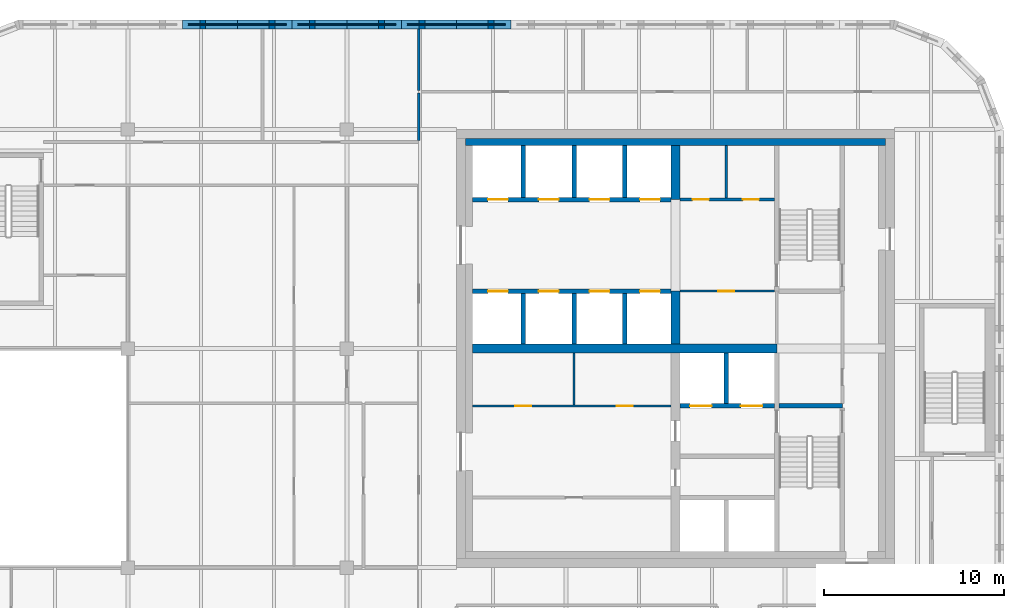
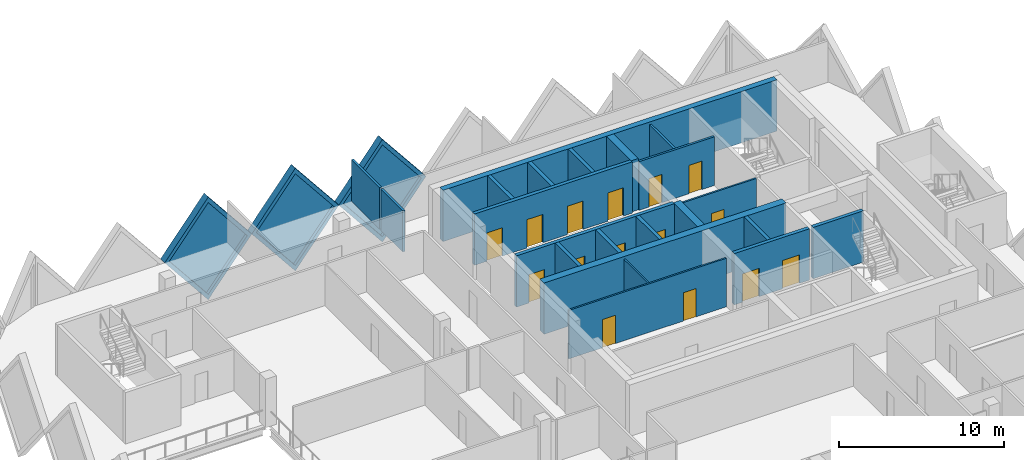
# One storey, part 8 of 11: 25 walls, 15 doors, 3 plates, 18 openings.
"""IFC4 building model written with IfcOpenShell, lengths in metres."""

from ifc_helpers import new_model, si_unit, direction, frame, frame_2d, origin, place, context, subcontext, project, spatial, polyline, rectangle, outline, extrude, faceted_brep, source, transform, mapped, material, layer, layer_set, type_object, element, fill, save


model = new_model("IFC4")

# Units and contexts
model_context = context("Model", 3, precision=1e-05, world=origin(), true_north=direction((0.0, 1.0)))
body_context = subcontext(model_context, "Body", "Model", "MODEL_VIEW")
ifc_project = project(units=[si_unit("LENGTHUNIT", "METRE"), si_unit("AREAUNIT", "SQUARE_METRE"), si_unit("VOLUMEUNIT", "CUBIC_METRE"), si_unit("PLANEANGLEUNIT", "RADIAN"), si_unit("MASSUNIT", "GRAM", prefix="KILO")], contexts=[model_context])

# Site, building, storey
site_placement = place(None, origin())
site = spatial("IfcSite", under=ifc_project, at=site_placement, CompositionType="ELEMENT")
building_placement = place(site_placement, origin())
building = spatial("IfcBuilding", under=site, at=building_placement, Name="Tessera Gate Towers", CompositionType="ELEMENT")
storey_placement = place(building_placement, frame((0.0, 0.0, 205.5)))
storey = spatial("IfcBuildingStorey", under=building, at=storey_placement, Name="L51", CompositionType="ELEMENT", Elevation=205.5)

# Wall, openings, doors
ifc_material_1 = material(Name="Concrete C40/50", Category="concrete")
ifc_layer_1 = layer(ifc_material_1, 0.25)
ifc_layer_set_1 = layer_set([ifc_layer_1], Name="CORE ENCLOSURE WALL 250")
wall_type_1 = type_object("IfcWallType", Name="CORE ENCLOSURE WALL 250", PredefinedType="SOLIDWALL", material=ifc_layer_set_1)
wall_1_placement = place(storey_placement, frame((31.39990234375, 39.800048828125, 0.0), z_axis=(0.0, 0.0, 1.0), x_axis=(1.0, 0.0, 0.0)))
wall_1 = element("IfcWall", 1, at=wall_1_placement, inside=storey, type_object=wall_type_1, Name="L51 shaft and stair enclosure wall", PredefinedType="SOLIDWALL", context=body_context, shape_type="SweptSolid", body=[
    extrude(rectangle(XDim=11.050048828125, YDim=0.25, at=frame_2d((5.52490234375, 0.0))), origin(), (0.0, 0.0, 1.0), 3.800048828125),
])
shared_shape_1 = source(origin(), body_context, "Body", "SweptSolid", [
    extrude(rectangle(XDim=1.10009765625, YDim=2.10009765625, at=frame_2d((0.550048828125, 1.050048828125))), frame((0.0, 0.135009765625, 0.0), z_axis=(0.0, -1.0, 0.0), x_axis=(1.0, 0.0, 0.0)), (0.0, 0.0, 1.0), 0.27001953125),
])
opening_1_placement = place(wall_1_placement, frame((0.862548828125, 0.0, 0.0)))
opening_1 = element("IfcOpeningElement", 2, at=opening_1_placement, cuts=wall_1, Name="Opening LD-HR1", PredefinedType="OPENING", context=body_context, shape_type="MappedRepresentation", body=[
    mapped(shared_shape_1, transform((0.0, 0.0, 0.0), scale=1.0)),
])
opening_2_placement = place(wall_1_placement, frame((3.6875, 0.0, 0.0)))
opening_2 = element("IfcOpeningElement", 3, at=opening_2_placement, cuts=wall_1, Name="Opening LD-HR2", PredefinedType="OPENING", context=body_context, shape_type="MappedRepresentation", body=[
    mapped(shared_shape_1, transform((0.0, 0.0, 0.0), scale=1.0)),
])
opening_3_placement = place(wall_1_placement, frame((6.512451171875, 0.0, 0.0)))
opening_3 = element("IfcOpeningElement", 4, at=opening_3_placement, cuts=wall_1, Name="Opening LD-HR3", PredefinedType="OPENING", context=body_context, shape_type="MappedRepresentation", body=[
    mapped(shared_shape_1, transform((0.0, 0.0, 0.0), scale=1.0)),
])
opening_4_placement = place(wall_1_placement, frame((9.33740234375, 0.0, 0.0)))
opening_4 = element("IfcOpeningElement", 5, at=opening_4_placement, cuts=wall_1, Name="Opening LD-HR4", PredefinedType="OPENING", context=body_context, shape_type="MappedRepresentation", body=[
    mapped(shared_shape_1, transform((0.0, 0.0, 0.0), scale=1.0)),
])
ifc_material_2 = material(Name="Stainless steel", Category="steel")
door_type_1 = type_object("IfcDoorType", Name="CORE DOOR LD 1100x2100", OperationType="DOUBLE_DOOR_SLIDING", PredefinedType="DOOR", material=ifc_material_2)
shared_shape_2 = source(origin(), body_context, "Body", "SweptSolid", [
    extrude(rectangle(XDim=1.10009765625, YDim=2.10009765625, at=frame_2d((0.550048828125, 1.050048828125))), frame((0.0, 0.02490234375, 0.0), z_axis=(0.0, -1.0, 0.0), x_axis=(1.0, 0.0, 0.0)), (0.0, 0.0, 1.0), 0.050048828125),
])
door_1_placement = place(opening_1_placement, origin())
door_1 = element("IfcDoor", 6, at=door_1_placement, inside=storey, type_object=door_type_1, Name="Landing door HR1 L51", OperationType="DOUBLE_DOOR_SLIDING", OverallHeight=2.10009765625, OverallWidth=1.10009765625, PredefinedType="DOOR", context=body_context, shape_type="MappedRepresentation", body=[
    mapped(shared_shape_2, transform((0.0, 0.0, 0.0), scale=1.0)),
])
fill(opening_1, door_1)
door_2_placement = place(opening_2_placement, origin())
door_2 = element("IfcDoor", 7, at=door_2_placement, inside=storey, type_object=door_type_1, Name="Landing door HR2 L51", OperationType="DOUBLE_DOOR_SLIDING", OverallHeight=2.10009765625, OverallWidth=1.10009765625, PredefinedType="DOOR", context=body_context, shape_type="MappedRepresentation", body=[
    mapped(shared_shape_2, transform((0.0, 0.0, 0.0), scale=1.0)),
])
fill(opening_2, door_2)
door_3_placement = place(opening_3_placement, origin())
door_3 = element("IfcDoor", 8, at=door_3_placement, inside=storey, type_object=door_type_1, Name="Landing door HR3 L51", OperationType="DOUBLE_DOOR_SLIDING", OverallHeight=2.10009765625, OverallWidth=1.10009765625, PredefinedType="DOOR", context=body_context, shape_type="MappedRepresentation", body=[
    mapped(shared_shape_2, transform((0.0, 0.0, 0.0), scale=1.0)),
])
fill(opening_3, door_3)
door_4_placement = place(opening_4_placement, origin())
door_4 = element("IfcDoor", 9, at=door_4_placement, inside=storey, type_object=door_type_1, Name="Landing door HR4 L51", OperationType="DOUBLE_DOOR_SLIDING", OverallHeight=2.10009765625, OverallWidth=1.10009765625, PredefinedType="DOOR", context=body_context, shape_type="MappedRepresentation", body=[
    mapped(shared_shape_2, transform((0.0, 0.0, 0.0), scale=1.0)),
])
fill(opening_4, door_4)

wall_2_placement = place(storey_placement, frame((42.449951171875, 44.89990234375, 0.0), z_axis=(0.0, 0.0, 1.0), x_axis=(-1.0, 0.0, 0.0)))
wall_2 = element("IfcWall", 10, at=wall_2_placement, inside=storey, type_object=wall_type_1, Name="L51 shaft and stair enclosure wall", PredefinedType="SOLIDWALL", context=body_context, shape_type="SweptSolid", body=[
    extrude(rectangle(XDim=11.050048828125, YDim=0.25, at=frame_2d((5.52490234375, 0.0))), origin(), (0.0, 0.0, 1.0), 3.800048828125),
])
opening_5_placement = place(wall_2_placement, frame((9.08740234375, 0.0, 0.0)))
opening_5 = element("IfcOpeningElement", 11, at=opening_5_placement, cuts=wall_2, Name="Opening LD-HR5", PredefinedType="OPENING", context=body_context, shape_type="MappedRepresentation", body=[
    mapped(shared_shape_1, transform((0.0, 0.0, 0.0), scale=1.0)),
])
opening_6_placement = place(wall_2_placement, frame((6.262451171875, 0.0, 0.0)))
opening_6 = element("IfcOpeningElement", 12, at=opening_6_placement, cuts=wall_2, Name="Opening LD-HR6", PredefinedType="OPENING", context=body_context, shape_type="MappedRepresentation", body=[
    mapped(shared_shape_1, transform((0.0, 0.0, 0.0), scale=1.0)),
])
opening_7_placement = place(wall_2_placement, frame((3.4375, 0.0, 0.0)))
opening_7 = element("IfcOpeningElement", 13, at=opening_7_placement, cuts=wall_2, Name="Opening LD-HR7", PredefinedType="OPENING", context=body_context, shape_type="MappedRepresentation", body=[
    mapped(shared_shape_1, transform((0.0, 0.0, 0.0), scale=1.0)),
])
opening_8_placement = place(wall_2_placement, frame((0.612548828125, 0.0, 0.0)))
opening_8 = element("IfcOpeningElement", 14, at=opening_8_placement, cuts=wall_2, Name="Opening LD-HR8", PredefinedType="OPENING", context=body_context, shape_type="MappedRepresentation", body=[
    mapped(shared_shape_1, transform((0.0, 0.0, 0.0), scale=1.0)),
])
door_5_placement = place(opening_5_placement, origin())
door_5 = element("IfcDoor", 15, at=door_5_placement, inside=storey, type_object=door_type_1, Name="Landing door HR5 L51", OperationType="DOUBLE_DOOR_SLIDING", OverallHeight=2.10009765625, OverallWidth=1.10009765625, PredefinedType="DOOR", context=body_context, shape_type="MappedRepresentation", body=[
    mapped(shared_shape_2, transform((0.0, 0.0, 0.0), scale=1.0)),
])
fill(opening_5, door_5)
door_6_placement = place(opening_6_placement, origin())
door_6 = element("IfcDoor", 16, at=door_6_placement, inside=storey, type_object=door_type_1, Name="Landing door HR6 L51", OperationType="DOUBLE_DOOR_SLIDING", OverallHeight=2.10009765625, OverallWidth=1.10009765625, PredefinedType="DOOR", context=body_context, shape_type="MappedRepresentation", body=[
    mapped(shared_shape_2, transform((0.0, 0.0, 0.0), scale=1.0)),
])
fill(opening_6, door_6)
door_7_placement = place(opening_7_placement, origin())
door_7 = element("IfcDoor", 17, at=door_7_placement, inside=storey, type_object=door_type_1, Name="Landing door HR7 L51", OperationType="DOUBLE_DOOR_SLIDING", OverallHeight=2.10009765625, OverallWidth=1.10009765625, PredefinedType="DOOR", context=body_context, shape_type="MappedRepresentation", body=[
    mapped(shared_shape_2, transform((0.0, 0.0, 0.0), scale=1.0)),
])
fill(opening_7, door_7)
door_8_placement = place(opening_8_placement, origin())
door_8 = element("IfcDoor", 18, at=door_8_placement, inside=storey, type_object=door_type_1, Name="Landing door HR8 L51", OperationType="DOUBLE_DOOR_SLIDING", OverallHeight=2.10009765625, OverallWidth=1.10009765625, PredefinedType="DOOR", context=body_context, shape_type="MappedRepresentation", body=[
    mapped(shared_shape_2, transform((0.0, 0.0, 0.0), scale=1.0)),
])
fill(opening_8, door_8)

wall_3_placement = place(storey_placement, frame((48.22509765625, 33.39990234375, 0.0), z_axis=(0.0, 0.0, 1.0), x_axis=(-1.0, 0.0, 0.0)))
wall_3 = element("IfcWall", 19, at=wall_3_placement, inside=storey, type_object=wall_type_1, Name="L51 shaft and stair enclosure wall", PredefinedType="SOLIDWALL", context=body_context, shape_type="SweptSolid", body=[
    extrude(rectangle(XDim=5.275146484375, YDim=0.25, at=frame_2d((2.6376953125, 0.0))), origin(), (0.0, 0.0, 1.0), 3.800048828125),
])
shared_shape_3 = source(origin(), body_context, "Body", "SweptSolid", [
    extrude(rectangle(XDim=1.199951171875, YDim=2.10009765625, at=frame_2d((0.60009765625, 1.050048828125))), frame((0.0, 0.135009765625, 0.0), z_axis=(0.0, -1.0, 0.0), x_axis=(1.0, 0.0, 0.0)), (0.0, 0.0, 1.0), 0.27001953125),
])
opening_9_placement = place(wall_3_placement, frame((3.512451171875, 0.0, 0.0)))
opening_9 = element("IfcOpeningElement", 20, at=opening_9_placement, cuts=wall_3, Name="Opening LD-FF1", PredefinedType="OPENING", context=body_context, shape_type="MappedRepresentation", body=[
    mapped(shared_shape_3, transform((0.0, 0.0, 0.0), scale=1.0)),
])
opening_10_placement = place(wall_3_placement, frame((0.6875, 0.0, 0.0)))
opening_10 = element("IfcOpeningElement", 21, at=opening_10_placement, cuts=wall_3, Name="Opening LD-FF2", PredefinedType="OPENING", context=body_context, shape_type="MappedRepresentation", body=[
    mapped(shared_shape_3, transform((0.0, 0.0, 0.0), scale=1.0)),
])
ifc_material_3 = material(Name="Stainless steel", Category="steel")
door_type_2 = type_object("IfcDoorType", Name="CORE DOOR LD1200 1200x2100", OperationType="DOUBLE_DOOR_SLIDING", PredefinedType="DOOR", material=ifc_material_3)
shared_shape_4 = source(origin(), body_context, "Body", "SweptSolid", [
    extrude(rectangle(XDim=1.199951171875, YDim=2.10009765625, at=frame_2d((0.60009765625, 1.050048828125))), frame((0.0, 0.02490234375, 0.0), z_axis=(0.0, -1.0, 0.0), x_axis=(1.0, 0.0, 0.0)), (0.0, 0.0, 1.0), 0.050048828125),
])
door_9_placement = place(opening_9_placement, origin())
door_9 = element("IfcDoor", 22, at=door_9_placement, inside=storey, type_object=door_type_2, Name="Landing door FF1 L51", OperationType="DOUBLE_DOOR_SLIDING", OverallHeight=2.10009765625, OverallWidth=1.199951171875, PredefinedType="DOOR", context=body_context, shape_type="MappedRepresentation", body=[
    mapped(shared_shape_4, transform((0.0, 0.0, 0.0), scale=1.0)),
])
fill(opening_9, door_9)
door_10_placement = place(opening_10_placement, origin())
door_10 = element("IfcDoor", 23, at=door_10_placement, inside=storey, type_object=door_type_2, Name="Landing door FF2 L51", OperationType="DOUBLE_DOOR_SLIDING", OverallHeight=2.10009765625, OverallWidth=1.199951171875, PredefinedType="DOOR", context=body_context, shape_type="MappedRepresentation", body=[
    mapped(shared_shape_4, transform((0.0, 0.0, 0.0), scale=1.0)),
])
fill(opening_10, door_10)

# Walls
wall_4_placement = place(storey_placement, frame((48.47509765625, 33.39990234375, 0.0), z_axis=(0.0, 0.0, 1.0), x_axis=(1.0, 0.0, 0.0)))
element("IfcWall", 24, at=wall_4_placement, inside=storey, type_object=wall_type_1, Name="L51 shaft and stair enclosure wall", PredefinedType="SOLIDWALL", context=body_context, shape_type="SweptSolid", body=[
    extrude(rectangle(XDim=3.52490234375, YDim=0.25, at=frame_2d((1.762451171875, 0.0))), origin(), (0.0, 0.0, 1.0), 3.800048828125),
])
for number, where, z_axis, x_axis, name in (
    (25, (34.22509765625, 36.85009765625, 0.0), (0.0, 0.0, 1.0), (0.0, 1.0, 0.0), "L51 shaft and stair enclosure wall"),
    (26, (37.050048828125, 36.85009765625, 0.0), (0.0, 0.0, 1.0), (0.0, 1.0, 0.0), "L51 shaft and stair enclosure wall"),
    (27, (39.875, 36.85009765625, 0.0), (0.0, 0.0, 1.0), (0.0, 1.0, 0.0), "L51 shaft and stair enclosure wall"),
):
    element("IfcWall", number, at=place(storey_placement, frame(where, z_axis=z_axis, x_axis=x_axis)), inside=storey, type_object=wall_type_1, Name=name, PredefinedType="SOLIDWALL", context=body_context, shape_type="SweptSolid", body=[
        extrude(rectangle(XDim=2.824951171875, YDim=0.25, at=frame_2d((1.41259765625, 0.0))), origin(), (0.0, 0.0, 1.0), 3.800048828125),
    ])
wall_5_placement = place(storey_placement, frame((45.52490234375, 33.52490234375, 0.0), z_axis=(0.0, 0.0, 1.0), x_axis=(0.0, 1.0, 0.0)))
element("IfcWall", 28, at=wall_5_placement, inside=storey, type_object=wall_type_1, Name="L51 shaft and stair enclosure wall", PredefinedType="SOLIDWALL", context=body_context, shape_type="SweptSolid", body=[
    extrude(rectangle(XDim=2.8251953125, YDim=0.25, at=frame_2d((1.41259765625, 0.0))), origin(), (0.0, 0.0, 1.0), 3.800048828125),
])
for number, where, z_axis, x_axis, name in (
    (29, (34.22509765625, 45.02490234375, 0.0), (0.0, 0.0, 1.0), (0.0, 1.0, 0.0), "L51 shaft and stair enclosure wall"),
    (30, (37.050048828125, 45.02490234375, 0.0), (0.0, 0.0, 1.0), (0.0, 1.0, 0.0), "L51 shaft and stair enclosure wall"),
    (31, (39.875, 45.02490234375, 0.0), (0.0, 0.0, 1.0), (0.0, 1.0, 0.0), "L51 shaft and stair enclosure wall"),
):
    element("IfcWall", number, at=place(storey_placement, frame(where, z_axis=z_axis, x_axis=x_axis)), inside=storey, type_object=wall_type_1, Name=name, PredefinedType="SOLIDWALL", context=body_context, shape_type="SweptSolid", body=[
        extrude(rectangle(XDim=2.875, YDim=0.25, at=frame_2d((1.4375, 0.0))), origin(), (0.0, 0.0, 1.0), 3.800048828125),
    ])

# Wall, openings, doors
ifc_material_4 = material(Name="Gypsum board on steel studs", Category="steel")
ifc_layer_2 = layer(ifc_material_4, 0.1201171875)
ifc_layer_set_2 = layer_set([ifc_layer_2], Name="CORE PARTITION 120")
wall_type_2 = type_object("IfcWallType", Name="CORE PARTITION 120", PredefinedType="PARTITIONING", material=ifc_layer_set_2)
wall_6_placement = place(storey_placement, frame((31.39990234375, 33.39990234375, 0.0), z_axis=(0.0, 0.0, 1.0), x_axis=(1.0, 0.0, 0.0)))
wall_6 = element("IfcWall", 32, at=wall_6_placement, inside=storey, type_object=wall_type_2, Name="L51 core partition", PredefinedType="PARTITIONING", context=body_context, shape_type="SweptSolid", body=[
    extrude(rectangle(XDim=11.050048828125, YDim=0.1201171875, at=frame_2d((5.52490234375, 0.0))), origin(), (0.0, 0.0, 1.0), 3.60009765625),
])
shared_shape_5 = source(origin(), body_context, "Body", "SweptSolid", [
    extrude(rectangle(XDim=0.89990234375, YDim=2.10009765625, at=frame_2d((0.449951171875, 1.050048828125))), frame((0.0, 0.070068359375, 0.0), z_axis=(0.0, -1.0, 0.0), x_axis=(1.0, 0.0, 0.0)), (0.0, 0.0, 1.0), 0.14013671875),
])
opening_11_placement = place(wall_6_placement, frame((2.375, 0.0, 0.0)))
opening_11 = element("IfcOpeningElement", 33, at=opening_11_placement, cuts=wall_6, Name="Opening RD-T1-31-08", PredefinedType="OPENING", context=body_context, shape_type="MappedRepresentation", body=[
    mapped(shared_shape_5, transform((0.0, 0.0, 0.0), scale=1.0)),
])
opening_12_placement = place(wall_6_placement, frame((8.02490234375, 0.0, 0.0)))
opening_12 = element("IfcOpeningElement", 34, at=opening_12_placement, cuts=wall_6, Name="Opening RD-T1-31-09", PredefinedType="OPENING", context=body_context, shape_type="MappedRepresentation", body=[
    mapped(shared_shape_5, transform((0.0, 0.0, 0.0), scale=1.0)),
])
ifc_material_5 = material(Name="Hollow steel fire door", Category="steel")
door_type_3 = type_object("IfcDoorType", Name="CORE DOOR RD 900x2100", OperationType="NOTDEFINED", PredefinedType="DOOR", material=ifc_material_5)
shared_shape_6 = source(origin(), body_context, "Body", "SweptSolid", [
    extrude(rectangle(XDim=0.89990234375, YDim=2.10009765625, at=frame_2d((0.449951171875, 1.050048828125))), frame((0.0, 0.02490234375, 0.0), z_axis=(0.0, -1.0, 0.0), x_axis=(1.0, 0.0, 0.0)), (0.0, 0.0, 1.0), 0.050048828125),
])
door_11_placement = place(opening_11_placement, origin())
door_11 = element("IfcDoor", 35, at=door_11_placement, inside=storey, type_object=door_type_3, Name="Core room door", OperationType="SINGLE_SWING_LEFT", OverallHeight=2.10009765625, OverallWidth=0.89990234375, PredefinedType="DOOR", context=body_context, shape_type="MappedRepresentation", body=[
    mapped(shared_shape_6, transform((0.0, 0.0, 0.0), scale=1.0)),
])
fill(opening_11, door_11)
door_12_placement = place(opening_12_placement, origin())
door_12 = element("IfcDoor", 36, at=door_12_placement, inside=storey, type_object=door_type_3, Name="Core room door", OperationType="SINGLE_SWING_RIGHT", OverallHeight=2.10009765625, OverallWidth=0.89990234375, PredefinedType="DOOR", context=body_context, shape_type="MappedRepresentation", body=[
    mapped(shared_shape_6, transform((0.0, 0.0, 0.0), scale=1.0)),
])
fill(opening_12, door_12)

# Wall, opening, door
wall_7_placement = place(storey_placement, frame((48.22509765625, 39.800048828125, 0.0), z_axis=(0.0, 0.0, 1.0), x_axis=(-1.0, 0.0, 0.0)))
wall_7 = element("IfcWall", 37, at=wall_7_placement, inside=storey, type_object=wall_type_2, Name="L51 core partition", PredefinedType="PARTITIONING", context=body_context, shape_type="SweptSolid", body=[
    extrude(rectangle(XDim=5.275146484375, YDim=0.1201171875, at=frame_2d((2.6376953125, 0.0))), origin(), (0.0, 0.0, 1.0), 3.60009765625),
])
opening_13_placement = place(wall_7_placement, frame((2.25, 0.0, 0.0)))
opening_13 = element("IfcOpeningElement", 38, at=opening_13_placement, cuts=wall_7, Name="Opening RD-T1-31-11", PredefinedType="OPENING", context=body_context, shape_type="MappedRepresentation", body=[
    mapped(shared_shape_5, transform((0.0, 0.0, 0.0), scale=1.0)),
])
door_13_placement = place(opening_13_placement, origin())
door_13 = element("IfcDoor", 39, at=door_13_placement, inside=storey, type_object=door_type_3, Name="Core room door", OperationType="SINGLE_SWING_RIGHT", OverallHeight=2.10009765625, OverallWidth=0.89990234375, PredefinedType="DOOR", context=body_context, shape_type="MappedRepresentation", body=[
    mapped(shared_shape_6, transform((0.0, 0.0, 0.0), scale=1.0)),
])
fill(opening_13, door_13)

# Walls
wall_8_placement = place(storey_placement, frame((37.050048828125, 33.4599609375, 0.0), z_axis=(0.0, 0.0, 1.0), x_axis=(0.0, 1.0, 0.0)))
element("IfcWall", 40, at=wall_8_placement, inside=storey, type_object=wall_type_2, Name="L51 core partition", PredefinedType="PARTITIONING", context=body_context, shape_type="SweptSolid", body=[
    extrude(rectangle(XDim=2.89013671875, YDim=0.1201171875, at=frame_2d((1.445068359375, 0.0))), origin(), (0.0, 0.0, 1.0), 3.60009765625),
])
ifc_material_6 = material(Name="Concrete C50/60", Category="concrete")
ifc_layer_3 = layer(ifc_material_6, 0.5)
ifc_layer_set_3 = layer_set([ifc_layer_3], Name="CORE SPINE WALL 500 C50/60")
wall_type_3 = type_object("IfcWallType", Name="CORE SPINE WALL 500 C50/60", PredefinedType="SHEAR", material=ifc_layer_set_3)
wall_9_placement = place(storey_placement, frame((31.39990234375, 36.60009765625, 0.0), z_axis=(0.0, 0.0, 1.0), x_axis=(1.0, 0.0, 0.0)))
element("IfcWall", 41, at=wall_9_placement, inside=storey, type_object=wall_type_3, Name="Core wall spine L51", PredefinedType="SHEAR", context=body_context, shape_type="SweptSolid", body=[
    extrude(rectangle(XDim=16.9501953125, YDim=0.5, at=frame_2d((8.47509765625, 0.0))), origin(), (0.0, 0.0, 1.0), 3.800048828125),
])
wall_10_placement = place(storey_placement, frame((42.699951171875, 36.85009765625, 0.0), z_axis=(0.0, 0.0, 1.0), x_axis=(0.0, 1.0, 0.0)))
element("IfcWall", 42, at=wall_10_placement, inside=storey, type_object=wall_type_3, Name="Core wall spine L51", PredefinedType="SHEAR", context=body_context, shape_type="SweptSolid", body=[
    extrude(rectangle(XDim=2.949951171875, YDim=0.5, at=frame_2d((1.47509765625, 0.0))), origin(), (0.0, 0.0, 1.0), 3.800048828125),
])
wall_11_placement = place(storey_placement, frame((42.699951171875, 44.89990234375, 0.0), z_axis=(0.0, 0.0, 1.0), x_axis=(0.0, 1.0, 0.0)))
element("IfcWall", 43, at=wall_11_placement, inside=storey, type_object=wall_type_3, Name="Core wall spine L51", PredefinedType="SHEAR", context=body_context, shape_type="SweptSolid", body=[
    extrude(rectangle(XDim=3.0, YDim=0.5, at=frame_2d((1.5, 0.0))), origin(), (0.0, 0.0, 1.0), 3.800048828125),
])
ifc_material_7 = material(Name="Concrete C50/60", Category="concrete")
ifc_layer_4 = layer(ifc_material_7, 0.39990234375)
ifc_layer_set_4 = layer_set([ifc_layer_4], Name="CORE WALL THICKENING 400")
wall_type_4 = type_object("IfcWallType", Name="CORE WALL THICKENING 400", PredefinedType="SOLIDWALL", material=ifc_layer_set_4)
wall_12_placement = place(storey_placement, frame((31.0, 48.10009765625, 0.0), z_axis=(0.0, 0.0, 1.0), x_axis=(1.0, 0.0, 0.0)))
element("IfcWall", 44, at=wall_12_placement, inside=storey, type_object=wall_type_4, Name="Core wall thickening N L51", PredefinedType="SOLIDWALL", context=body_context, shape_type="SweptSolid", body=[
    extrude(rectangle(XDim=23.39990234375, YDim=0.39990234375, at=frame_2d((11.699951171875, 0.0))), origin(), (0.0, 0.0, 1.0), 3.800048828125),
])
ifc_material_8 = material(Name="Gypsum board on steel studs, mineral wool", Category="steel")
ifc_layer_5 = layer(ifc_material_8, 0.14990234375)
ifc_layer_set_5 = layer_set([ifc_layer_5], Name="CORRIDOR WALL 150")
wall_type_5 = type_object("IfcWallType", Name="CORRIDOR WALL 150", PredefinedType="PARTITIONING", material=ifc_layer_set_5)
wall_13_placement = place(storey_placement, frame((28.39990234375, 48.176025390625, 0.0), z_axis=(0.0, 0.0, 1.0), x_axis=(0.0, 1.0, 0.0)))
element("IfcWall", 45, at=wall_13_placement, inside=storey, type_object=wall_type_5, Name="T1-L51-PW-046", PredefinedType="PARTITIONING", context=body_context, shape_type="SweptSolid", body=[
    extrude(rectangle(XDim=2.64794921875, YDim=0.14990234375, at=frame_2d((1.323974609375, 0.0))), origin(), (0.0, 0.0, 1.0), 3.06689453125),
])

# Wall, openings, doors
ifc_material_9 = material(Name="Gypsum board on steel studs", Category="steel")
ifc_layer_6 = layer(ifc_material_9, 0.14990234375)
ifc_layer_set_6 = layer_set([ifc_layer_6], Name="SERVICE ROOM WALL 150")
wall_type_6 = type_object("IfcWallType", Name="SERVICE ROOM WALL 150", PredefinedType="PARTITIONING", material=ifc_layer_set_6)
wall_14_placement = place(storey_placement, frame((42.949951171875, 44.89990234375, 0.0), z_axis=(0.0, 0.0, 1.0), x_axis=(1.0, 0.0, 0.0)))
wall_14 = element("IfcWall", 46, at=wall_14_placement, inside=storey, type_object=wall_type_6, Name="L51 service room wall", PredefinedType="PARTITIONING", context=body_context, shape_type="SweptSolid", body=[
    extrude(rectangle(XDim=5.275146484375, YDim=0.14990234375, at=frame_2d((2.6376953125, 0.0))), origin(), (0.0, 0.0, 1.0), 3.60009765625),
])
shared_shape_7 = source(origin(), body_context, "Body", "SweptSolid", [
    extrude(rectangle(XDim=0.89990234375, YDim=2.10009765625, at=frame_2d((0.449951171875, 1.050048828125))), frame((0.0, 0.0849609375, 0.0), z_axis=(0.0, -1.0, 0.0), x_axis=(1.0, 0.0, 0.0)), (0.0, 0.0, 1.0), 0.169921875),
])
opening_14_placement = place(wall_14_placement, frame((0.71240234375, 0.0, 0.0)))
opening_14 = element("IfcOpeningElement", 47, at=opening_14_placement, cuts=wall_14, Name="Opening RD-T1-31-12", PredefinedType="OPENING", context=body_context, shape_type="MappedRepresentation", body=[
    mapped(shared_shape_7, transform((0.0, 0.0, 0.0), scale=1.0)),
])
opening_15_placement = place(wall_14_placement, frame((3.5, 0.0, 0.0)))
opening_15 = element("IfcOpeningElement", 48, at=opening_15_placement, cuts=wall_14, Name="Opening RD-T1-31-13", PredefinedType="OPENING", context=body_context, shape_type="MappedRepresentation", body=[
    mapped(shared_shape_7, transform((0.0, 0.0, 0.0), scale=1.0)),
])
door_14_placement = place(opening_14_placement, origin())
door_14 = element("IfcDoor", 49, at=door_14_placement, inside=storey, type_object=door_type_3, Name="Core room door", OperationType="SINGLE_SWING_LEFT", OverallHeight=2.10009765625, OverallWidth=0.89990234375, PredefinedType="DOOR", context=body_context, shape_type="MappedRepresentation", body=[
    mapped(shared_shape_6, transform((0.0, 0.0, 0.0), scale=1.0)),
])
fill(opening_14, door_14)
door_15_placement = place(opening_15_placement, origin())
door_15 = element("IfcDoor", 50, at=door_15_placement, inside=storey, type_object=door_type_3, Name="Core room door", OperationType="SINGLE_SWING_RIGHT", OverallHeight=2.10009765625, OverallWidth=0.89990234375, PredefinedType="DOOR", context=body_context, shape_type="MappedRepresentation", body=[
    mapped(shared_shape_6, transform((0.0, 0.0, 0.0), scale=1.0)),
])
fill(opening_15, door_15)

# Walls
wall_15_placement = place(storey_placement, frame((45.52490234375, 44.97509765625, 0.0), z_axis=(0.0, 0.0, 1.0), x_axis=(0.0, 1.0, 0.0)))
element("IfcWall", 51, at=wall_15_placement, inside=storey, type_object=wall_type_6, Name="L51 service room wall", PredefinedType="PARTITIONING", context=body_context, shape_type="SweptSolid", body=[
    extrude(rectangle(XDim=2.9248046875, YDim=0.14990234375, at=frame_2d((1.46240234375, 0.0))), origin(), (0.0, 0.0, 1.0), 3.60009765625),
])
ifc_material_10 = material(Name="Gypsum board on steel studs, mineral wool", Category="steel")
ifc_layer_7 = layer(ifc_material_10, 0.14990234375)
ifc_layer_set_7 = layer_set([ifc_layer_7], Name="TENANCY WALL 150")
wall_type_7 = type_object("IfcWallType", Name="TENANCY WALL 150", PredefinedType="PARTITIONING", material=ifc_layer_set_7)
wall_16_placement = place(storey_placement, frame((28.39990234375, 50.97607421875, 0.0), z_axis=(0.0, 0.0, 1.0), x_axis=(0.0, 1.0, 0.0)))
element("IfcWall", 52, at=wall_16_placement, inside=storey, type_object=wall_type_7, Name="T1-L51-PW-048", PredefinedType="PARTITIONING", context=body_context, shape_type="SweptSolid", body=[
    extrude(rectangle(XDim=3.423828125, YDim=0.14990234375, at=frame_2d((1.7119140625, 0.0))), origin(), (0.0, 0.0, 1.0), 3.06689453125),
])

# Wall, opening, plate
ifc_material_11 = material(Name="Precast concrete C60/75 white", Category="concrete")
ifc_layer_8 = layer(ifc_material_11, 0.5)
ifc_layer_set_8 = layer_set([ifc_layer_8], Name="TS1 tessera")
wall_type_8 = type_object("IfcWallType", Name="TS1 tessera", PredefinedType="SOLIDWALL", material=ifc_layer_set_8)
shared_shape_8 = source(origin(), body_context, "Body", "Brep", [
    faceted_brep([(3.050048828125, -0.25, 0.0), (6.099853515625, -0.25, 3.7998046875), (6.099853515625, -0.25, 3.80029296875), (3.050048828125, -0.25, 7.60009765625), (0.0, -0.25, 3.800048828125), (0.0, 0.25, 3.800048828125), (3.050048828125, 0.25, 7.60009765625), (6.099853515625, 0.25, 3.80029296875), (6.099853515625, 0.25, 3.7998046875), (3.050048828125, 0.25, 0.0)], [[[0, 1, 2, 3, 4]], [[5, 6, 7, 8, 9]], [[9, 8, 1, 0]], [[7, 6, 3, 2]], [[6, 5, 4, 3]], [[5, 9, 0, 4]], [[1, 8, 7, 2]]]),
])
wall_17_placement = place(storey_placement, frame((27.449951171875, 54.64990234375, -3.800048828125), z_axis=(0.0, 0.0, 1.0), x_axis=(-1.0, 0.0, 0.0)))
wall_17 = element("IfcWall", 53, at=wall_17_placement, inside=storey, type_object=wall_type_8, Name="Precast tessera T1 TS1-0888", PredefinedType="SOLIDWALL", context=body_context, shape_type="MappedRepresentation", body=[
    mapped(shared_shape_8, transform((0.0, 0.0, 0.0), scale=1.0)),
])
shared_shape_9 = source(origin(), body_context, "Body", "SweptSolid", [
    extrude(outline(polyline([(3.050048828125, 0.3994140625), (5.779541015625, 3.800048828125), (3.050048828125, 7.20068359375), (0.320556640625, 3.800048828125), (3.050048828125, 0.3994140625)])), frame((0.0, 0.260009765625, 0.0), z_axis=(0.0, -1.0, 0.0), x_axis=(1.0, 0.0, 0.0)), (0.0, 0.0, 1.0), 0.52001953125),
])
opening_16_placement = place(wall_17_placement, origin())
opening_16 = element("IfcOpeningElement", 54, at=opening_16_placement, cuts=wall_17, Name="Opening T1-PL2-1810", PredefinedType="OPENING", context=body_context, shape_type="MappedRepresentation", body=[
    mapped(shared_shape_9, transform((0.0, 0.0, 0.0), scale=1.0)),
])
ifc_material_12 = material(Name="Low-e laminated glass", Category="glass")
ifc_layer_9 = layer(ifc_material_12, 0.06005859375)
ifc_layer_set_9 = layer_set([ifc_layer_9], Name="PL2 rhombic pane")
plate_type = type_object("IfcPlateType", Name="PL2 rhombic pane", PredefinedType="SHEET", material=ifc_layer_set_9)
shared_shape_10 = source(origin(), body_context, "Body", "SweptSolid", [
    extrude(outline(polyline([(3.050048828125, 0.3994140625), (5.779541015625, 3.800048828125), (3.050048828125, 7.20068359375), (0.320556640625, 3.800048828125), (3.050048828125, 0.3994140625)])), frame((0.0, 0.030029296875, 0.0), z_axis=(0.0, -1.0, 0.0), x_axis=(1.0, 0.0, 0.0)), (0.0, 0.0, 1.0), 0.06005859375),
])
plate_1_placement = place(opening_16_placement, origin())
plate_1 = element("IfcPlate", 55, at=plate_1_placement, inside=storey, type_object=plate_type, Name="Glass pane T1 PL2-1810", PredefinedType="SHEET", context=body_context, shape_type="MappedRepresentation", body=[
    mapped(shared_shape_10, transform((0.0, 0.0, 0.0), scale=1.0)),
])
fill(opening_16, plate_1)

shared_shape_11 = source(origin(), body_context, "Body", "SweptSolid", [
    extrude(outline(polyline([(3.050048828125, 0.0), (6.10009765625, 3.800048828125), (3.050048828125, 7.60009765625), (0.0, 3.800048828125), (3.050048828125, 0.0)])), frame((0.0, 0.25, 0.0), z_axis=(0.0, -1.0, 0.0), x_axis=(1.0, 0.0, 0.0)), (0.0, 0.0, 1.0), 0.5),
])
wall_18_placement = place(storey_placement, frame((33.550048828125, 54.64990234375, -3.800048828125), z_axis=(0.0, 0.0, 1.0), x_axis=(-1.0, 0.0, 0.0)))
wall_18 = element("IfcWall", 56, at=wall_18_placement, inside=storey, type_object=wall_type_8, Name="Precast tessera T1 TS1-0887", PredefinedType="SOLIDWALL", context=body_context, shape_type="MappedRepresentation", body=[
    mapped(shared_shape_11, transform((0.0, 0.0, 0.0), scale=1.0)),
])
opening_17_placement = place(wall_18_placement, origin())
opening_17 = element("IfcOpeningElement", 57, at=opening_17_placement, cuts=wall_18, Name="Opening T1-PL2-1809", PredefinedType="OPENING", context=body_context, shape_type="MappedRepresentation", body=[
    mapped(shared_shape_9, transform((0.0, 0.0, 0.0), scale=1.0)),
])
plate_2_placement = place(opening_17_placement, origin())
plate_2 = element("IfcPlate", 58, at=plate_2_placement, inside=storey, type_object=plate_type, Name="Glass pane T1 PL2-1809", PredefinedType="SHEET", context=body_context, shape_type="MappedRepresentation", body=[
    mapped(shared_shape_10, transform((0.0, 0.0, 0.0), scale=1.0)),
])
fill(opening_17, plate_2)

wall_19_placement = place(storey_placement, frame((21.35009765625, 54.64990234375, -3.800048828125), z_axis=(0.0, 0.0, 1.0), x_axis=(-1.0, 0.0, 0.0)))
wall_19 = element("IfcWall", 59, at=wall_19_placement, inside=storey, type_object=wall_type_8, Name="Precast tessera T1 TS1-0889", PredefinedType="SOLIDWALL", context=body_context, shape_type="MappedRepresentation", body=[
    mapped(shared_shape_11, transform((0.0, 0.0, 0.0), scale=1.0)),
])
opening_18_placement = place(wall_19_placement, origin())
opening_18 = element("IfcOpeningElement", 60, at=opening_18_placement, cuts=wall_19, Name="Opening T1-PL2-1811", PredefinedType="OPENING", context=body_context, shape_type="MappedRepresentation", body=[
    mapped(shared_shape_9, transform((0.0, 0.0, 0.0), scale=1.0)),
])
plate_3_placement = place(opening_18_placement, origin())
plate_3 = element("IfcPlate", 61, at=plate_3_placement, inside=storey, type_object=plate_type, Name="Glass pane T1 PL2-1811", PredefinedType="SHEET", context=body_context, shape_type="MappedRepresentation", body=[
    mapped(shared_shape_10, transform((0.0, 0.0, 0.0), scale=1.0)),
])
fill(opening_18, plate_3)

save(model, "model.ifc")
